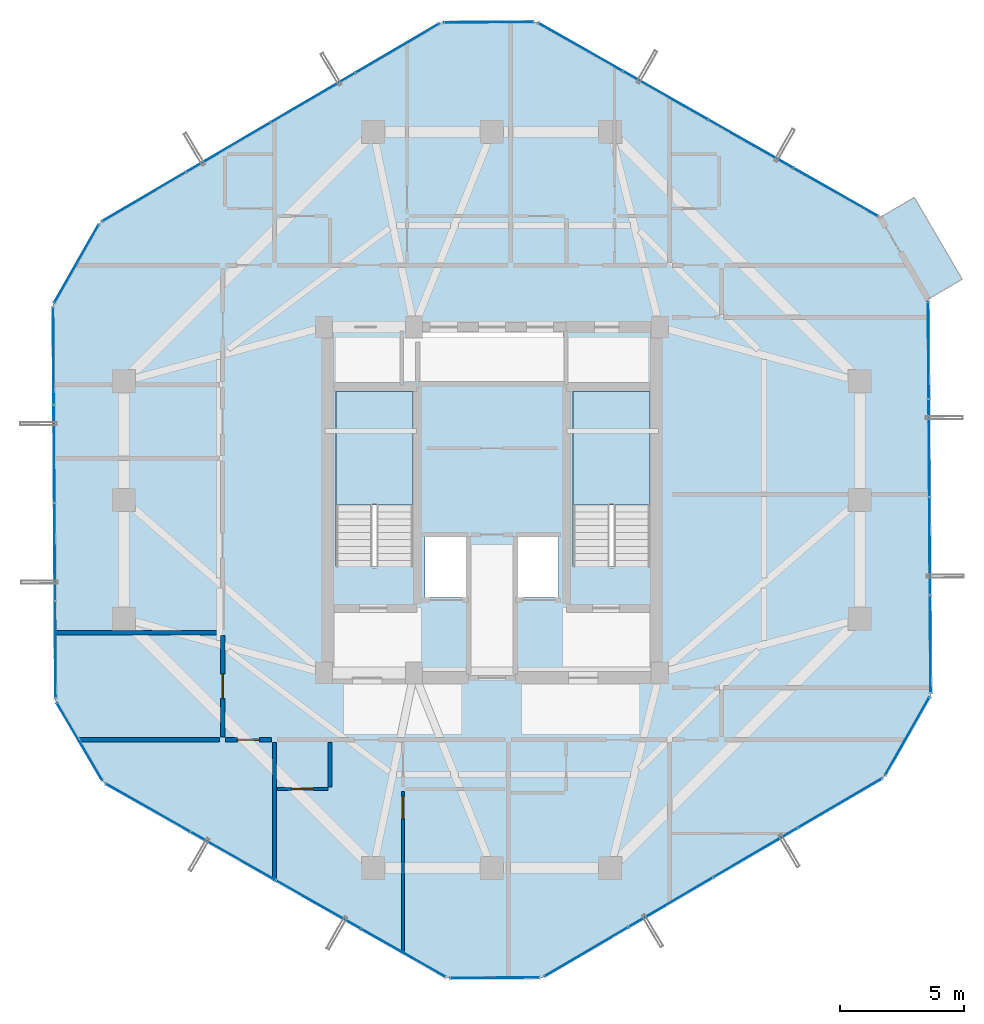
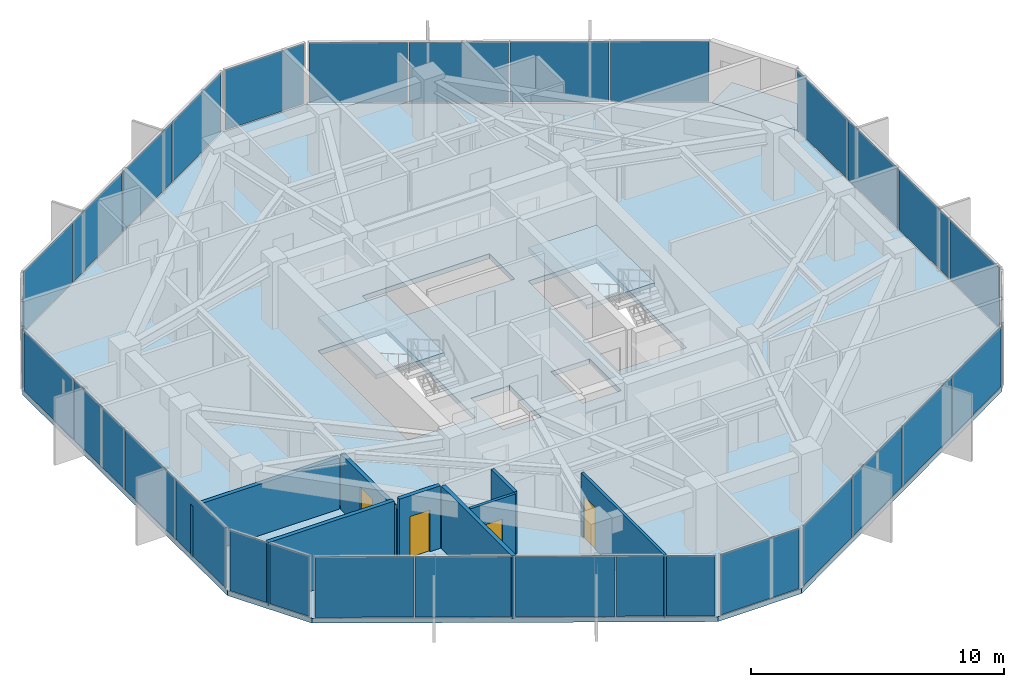
# One storey, part 26 of 31: 29 plates, 8 walls, 4 doors, 4 slabs, 4 openings, 13 elements without a shape of their own.
"""IFC4 building model written with IfcOpenShell, lengths in metres."""

from ifc_helpers import new_model, si_unit, direction, frame, frame_2d, origin, origin_2d, place, context, subcontext, project, spatial, polyline, rectangle, outline, extrude, source, transform, mapped, material, layer, layer_set, type_object, element, fill, aggregate, save


model = new_model("IFC4")

# Units and contexts
model_context = context("Model", 3, precision=1e-05, world=origin(), true_north=direction((0.0, 1.0)))
body_context = subcontext(model_context, "Body", "Model", "MODEL_VIEW")
ifc_project = project(units=[si_unit("LENGTHUNIT", "METRE"), si_unit("AREAUNIT", "SQUARE_METRE"), si_unit("VOLUMEUNIT", "CUBIC_METRE"), si_unit("PLANEANGLEUNIT", "RADIAN"), si_unit("MASSUNIT", "GRAM", prefix="KILO")], contexts=[model_context])

# Site, building, storey
site_placement = place(None, origin())
site = spatial("IfcSite", under=ifc_project, at=site_placement, CompositionType="ELEMENT")
building_placement = place(site_placement, origin())
building = spatial("IfcBuilding", under=site, at=building_placement, Name="Veraguas Prism Commons", CompositionType="ELEMENT")
storey_placement = place(building_placement, frame((0.0, 0.0, 204.85009765625)))
storey = spatial("IfcBuildingStorey", under=building, at=storey_placement, Name="L58", CompositionType="ELEMENT", Elevation=204.85009765625)

# Stair, slab
ifc_material_1 = material(Name="Precast concrete C45/55", Category="concrete")
stair_type = type_object("IfcStairType", Name="Dogleg Core Stair 1480W 20R 05", PredefinedType="HALF_TURN_STAIR", material=ifc_material_1)
stair_1_placement = place(storey_placement, origin())
stair_1 = element("IfcStair", 1, at=stair_1_placement, inside=storey, type_object=stair_type, Name="Protected Exit Stair ST-01 L58", PredefinedType="HALF_TURN_STAIR")
ifc_layer_1 = layer(ifc_material_1, 0.199951171875, Name="Precast Stair and Ramp Landing Slab 200", Category="concrete")
ifc_layer_set_1 = layer_set([ifc_layer_1], Name="Precast concrete C45/55")
slab_type_1 = type_object("IfcSlabType", Name="Precast Stair and Ramp Landing Slab 200", PredefinedType="LANDING", material=ifc_layer_set_1)
slab_1_placement = place(storey_placement, frame((0.0, 0.0, 1.4248046875)))
slab_1 = element("IfcSlab", 2, at=slab_1_placement, type_object=slab_type_1, Name="ST-05 Landing 1", PredefinedType="LANDING", context=body_context, shape_type="SweptSolid", body=[
    extrude(outline(polyline([(20.800048828125, 23.800048828125), (20.800048828125, 28.39990234375), (17.68994140625, 28.39990234375), (17.68994140625, 23.800048828125), (20.800048828125, 23.800048828125)])), origin(), (0.0, 0.0, 1.0), 0.2001953125),
])
aggregate(stair_1, [slab_1])

stair_2_placement = place(storey_placement, origin())
stair_2 = element("IfcStair", 3, at=stair_2_placement, inside=storey, type_object=stair_type, Name="Protected Exit Stair ST-02 L58", PredefinedType="HALF_TURN_STAIR")
slab_2_placement = place(storey_placement, frame((0.0, 0.0, 1.4248046875)))
slab_2 = element("IfcSlab", 4, at=slab_2_placement, type_object=slab_type_1, Name="ST-05 Landing 1", PredefinedType="LANDING", context=body_context, shape_type="SweptSolid", body=[
    extrude(outline(polyline([(30.39990234375, 23.800048828125), (30.39990234375, 28.39990234375), (27.2900390625, 28.39990234375), (27.2900390625, 23.800048828125), (30.39990234375, 23.800048828125)])), origin(), (0.0, 0.0, 1.0), 0.2001953125),
])
aggregate(stair_2, [slab_2])

# Slabs
ifc_material_2 = material(Name="Concrete C45/55", Category="concrete")
ifc_layer_2 = layer(ifc_material_2, 0.219970703125, Name="Recessed Loggia and Terrace Slab RC 220", Category="concrete")
ifc_layer_set_2 = layer_set([ifc_layer_2], Name="Concrete C45/55")
slab_type_2 = type_object("IfcSlabType", Name="Recessed Loggia and Terrace Slab RC 220", PredefinedType="FLOOR", material=ifc_layer_set_2)
slab_3_placement = place(storey_placement, frame((0.0, 0.0, -0.22021484375)))
element("IfcSlab", 5, at=slab_3_placement, inside=storey, type_object=slab_type_2, Name="Recessed Corner Loggia L58-C1", PredefinedType="FLOOR", context=body_context, shape_type="SweptSolid", body=[
    extrude(outline(polyline([(41.639404296875, 32.118408203125), (43.037109375, 32.937744140625), (41.097900390625, 36.24560546875), (39.7001953125, 35.42626953125), (41.639404296875, 32.118408203125)])), origin(), (0.0, 0.0, 1.0), 0.22021484375),
])
ifc_layer_3 = layer(ifc_material_2, 0.235107421875, Name="Tower Upper Residential Floor Slab RC 235", Category="concrete")
ifc_layer_set_3 = layer_set([ifc_layer_3], Name="Concrete C45/55")
slab_type_3 = type_object("IfcSlabType", Name="Tower Upper Residential Floor Slab RC 235", PredefinedType="FLOOR", material=ifc_layer_set_3)
slab_4_placement = place(storey_placement, frame((0.0, 0.0, -0.235107421875)))
element("IfcSlab", 6, at=slab_4_placement, inside=storey, type_object=slab_type_3, Name="Tower Floor Slab L58", PredefinedType="FLOOR", context=body_context, shape_type="SweptSolid", body=[
    extrude(outline(polyline([(41.65673828125, 32.12841796875), (39.717529296875, 35.436279296875), (25.788818359375, 43.35546875), (21.95458984375, 43.330078125), (8.132080078125, 35.226806640625), (6.237060546875, 31.8935546875), (6.34326171875, 15.87158203125), (8.282470703125, 12.563720703125), (22.211181640625, 4.64453125), (26.04541015625, 4.669921875), (39.867919921875, 12.773193359375), (41.762939453125, 16.1064453125), (41.65673828125, 32.12841796875)]), holes=[polyline([(20.800048828125, 21.31005859375), (20.800048828125, 28.39990234375), (17.68994140625, 28.39990234375), (17.68994140625, 21.31005859375), (20.800048828125, 21.31005859375)]), polyline([(30.39990234375, 21.31005859375), (30.39990234375, 28.39990234375), (27.2900390625, 28.39990234375), (27.2900390625, 21.31005859375), (30.39990234375, 21.31005859375)]), polyline([(21.10009765625, 28.800048828125), (26.89990234375, 28.800048828125), (26.89990234375, 30.800048828125), (21.10009765625, 30.800048828125), (21.10009765625, 28.800048828125)]), polyline([(21.300048828125, 20.050048828125), (23.050048828125, 20.050048828125), (23.050048828125, 22.550048828125), (21.300048828125, 22.550048828125), (21.300048828125, 20.050048828125)]), polyline([(24.949951171875, 20.050048828125), (26.699951171875, 20.050048828125), (26.699951171875, 22.550048828125), (24.949951171875, 22.550048828125), (24.949951171875, 20.050048828125)])]), origin(), (0.0, 0.0, 1.0), 0.235107421875),
])

# Curtain wall, plates
ifc_material_3 = material(Name="Anodised aluminium EN AW-6063 T6", Category="aluminium")
ifc_layer_4 = layer(ifc_material_3, 0.14990234375, Name="Unitised Flush Curtain Wall Zone 3", Category="aluminium")
ifc_layer_set_4 = layer_set([ifc_layer_4], Name="Anodised aluminium EN AW-6063 T6")
curtain_wall_type = type_object("IfcCurtainWallType", Name="Unitised Flush Curtain Wall Zone 3", PredefinedType="NOTDEFINED", material=ifc_layer_set_4)
curtain_wall_1_placement = place(storey_placement, origin())
curtain_wall_1 = element("IfcCurtainWall", 7, at=curtain_wall_1_placement, inside=storey, type_object=curtain_wall_type, Name="Tower Facade Curtain Wall L58-F1", PredefinedType="NOTDEFINED")
ifc_material_4 = material(Name="Laminated low-e glass", Category="glass")
ifc_layer_5 = layer(ifc_material_4, 0.028076171875, Name="Unitised Double Low-E Glazed Panel 28", Category="glass")
ifc_layer_set_5 = layer_set([ifc_layer_5], Name="Laminated low-e glass")
plate_type = type_object("IfcPlateType", Name="Unitised Double Low-E Glazed Panel 28", PredefinedType="CURTAIN_PANEL", material=ifc_layer_set_5)
shared_shape_1 = source(origin(), body_context, "Body", "SweptSolid", [
    extrude(rectangle(XDim=3.885498046875, YDim=0.028076171875, at=origin_2d()), origin(), (0.0, 0.0, 1.0), 2.905029296875),
])
plate_1_placement = place(storey_placement, frame((37.92431640625, 36.4560546875, 0.0546875), z_axis=(0.0, 0.0, 1.0), x_axis=(-0.869323320918, 0.494243830218, 0.0)))
plate_1 = element("IfcPlate", 8, at=plate_1_placement, type_object=plate_type, Name="CW-Z3 Panel 1.1", PredefinedType="CURTAIN_PANEL", context=body_context, shape_type="MappedRepresentation", body=[
    mapped(shared_shape_1, transform((0.0, 0.0, 0.0), scale=1.0)),
])
plate_2_placement = place(storey_placement, frame((27.582275390625, 42.3359375, 0.0546875), z_axis=(0.0, 0.0, 1.0), x_axis=(-0.869323320918, 0.494243830218, 0.0)))
plate_2 = element("IfcPlate", 9, at=plate_2_placement, type_object=plate_type, Name="CW-Z3 Panel 4.1", PredefinedType="CURTAIN_PANEL", context=body_context, shape_type="MappedRepresentation", body=[
    mapped(shared_shape_1, transform((0.0, 0.0, 0.0), scale=1.0)),
])

curtain_wall_2_placement = place(storey_placement, origin())
curtain_wall_2 = element("IfcCurtainWall", 10, at=curtain_wall_2_placement, inside=storey, type_object=curtain_wall_type, Name="Tower Facade Curtain Wall L58-F2", PredefinedType="NOTDEFINED")
plate_3_placement = place(storey_placement, frame((20.175048828125, 42.286865234375, 0.0546875), z_axis=(0.0, 0.0, 1.0), x_axis=(-0.86268584238, -0.505740187604, 0.0)))
plate_3 = element("IfcPlate", 11, at=plate_3_placement, type_object=plate_type, Name="CW-Z3 Panel 1.1", PredefinedType="CURTAIN_PANEL", context=body_context, shape_type="MappedRepresentation", body=[
    mapped(shared_shape_1, transform((0.0, 0.0, 0.0), scale=1.0)),
])
plate_4_placement = place(storey_placement, frame((9.911865234375, 36.27001953125, 0.0546875), z_axis=(0.0, 0.0, 1.0), x_axis=(-0.86268584238, -0.505740187604, 0.0)))
plate_4 = element("IfcPlate", 12, at=plate_4_placement, type_object=plate_type, Name="CW-Z3 Panel 4.1", PredefinedType="CURTAIN_PANEL", context=body_context, shape_type="MappedRepresentation", body=[
    mapped(shared_shape_1, transform((0.0, 0.0, 0.0), scale=1.0)),
])

curtain_wall_3_placement = place(storey_placement, origin())
curtain_wall_3 = element("IfcCurtainWall", 13, at=curtain_wall_3_placement, inside=storey, type_object=curtain_wall_type, Name="Tower Facade Curtain Wall L58-F3", PredefinedType="NOTDEFINED")
plate_5_placement = place(storey_placement, frame((6.250732421875, 29.830810546875, 0.0546875), z_axis=(0.0, 0.0, 1.0), x_axis=(0.006633947827, -0.999977995126, 0.0)))
plate_5 = element("IfcPlate", 14, at=plate_5_placement, type_object=plate_type, Name="CW-Z3 Panel 1.1", PredefinedType="CURTAIN_PANEL", context=body_context, shape_type="MappedRepresentation", body=[
    mapped(shared_shape_1, transform((0.0, 0.0, 0.0), scale=1.0)),
])
plate_6_placement = place(storey_placement, frame((6.32958984375, 17.934326171875, 0.0546875), z_axis=(0.0, 0.0, 1.0), x_axis=(0.006633947827, -0.999977995126, 0.0)))
plate_6 = element("IfcPlate", 15, at=plate_6_placement, type_object=plate_type, Name="CW-Z3 Panel 4.1", PredefinedType="CURTAIN_PANEL", context=body_context, shape_type="MappedRepresentation", body=[
    mapped(shared_shape_1, transform((0.0, 0.0, 0.0), scale=1.0)),
])

curtain_wall_4_placement = place(storey_placement, origin())
curtain_wall_4 = element("IfcCurtainWall", 16, at=curtain_wall_4_placement, inside=storey, type_object=curtain_wall_type, Name="Tower Facade Curtain Wall L58-F4", PredefinedType="NOTDEFINED")
plate_7_placement = place(storey_placement, frame((10.07568359375, 11.5439453125, 0.0546875), z_axis=(0.0, 0.0, 1.0), x_axis=(0.869323320918, -0.494243830218, 0.0)))
plate_7 = element("IfcPlate", 17, at=plate_7_placement, type_object=plate_type, Name="CW-Z3 Panel 1.1", PredefinedType="CURTAIN_PANEL", context=body_context, shape_type="MappedRepresentation", body=[
    mapped(shared_shape_1, transform((0.0, 0.0, 0.0), scale=1.0)),
])
plate_8_placement = place(storey_placement, frame((20.417724609375, 5.6640625, 0.0546875), z_axis=(0.0, 0.0, 1.0), x_axis=(0.869323320918, -0.494243830218, 0.0)))
plate_8 = element("IfcPlate", 18, at=plate_8_placement, type_object=plate_type, Name="CW-Z3 Panel 4.1", PredefinedType="CURTAIN_PANEL", context=body_context, shape_type="MappedRepresentation", body=[
    mapped(shared_shape_1, transform((0.0, 0.0, 0.0), scale=1.0)),
])

curtain_wall_5_placement = place(storey_placement, origin())
curtain_wall_5 = element("IfcCurtainWall", 19, at=curtain_wall_5_placement, inside=storey, type_object=curtain_wall_type, Name="Tower Facade Curtain Wall L58-F5", PredefinedType="NOTDEFINED")
plate_9_placement = place(storey_placement, frame((27.824951171875, 5.713134765625, 0.0546875), z_axis=(0.0, 0.0, 1.0), x_axis=(0.86268584238, 0.505740187604, 0.0)))
plate_9 = element("IfcPlate", 20, at=plate_9_placement, type_object=plate_type, Name="CW-Z3 Panel 1.1", PredefinedType="CURTAIN_PANEL", context=body_context, shape_type="MappedRepresentation", body=[
    mapped(shared_shape_1, transform((0.0, 0.0, 0.0), scale=1.0)),
])
plate_10_placement = place(storey_placement, frame((38.088134765625, 11.72998046875, 0.0546875), z_axis=(0.0, 0.0, 1.0), x_axis=(0.86268584238, 0.505740187604, 0.0)))
plate_10 = element("IfcPlate", 21, at=plate_10_placement, type_object=plate_type, Name="CW-Z3 Panel 4.1", PredefinedType="CURTAIN_PANEL", context=body_context, shape_type="MappedRepresentation", body=[
    mapped(shared_shape_1, transform((0.0, 0.0, 0.0), scale=1.0)),
])

curtain_wall_6_placement = place(storey_placement, origin())
curtain_wall_6 = element("IfcCurtainWall", 22, at=curtain_wall_6_placement, inside=storey, type_object=curtain_wall_type, Name="Tower Facade Curtain Wall L58-F6", PredefinedType="NOTDEFINED")
plate_11_placement = place(storey_placement, frame((41.749267578125, 18.169189453125, 0.0546875), z_axis=(0.0, 0.0, 1.0), x_axis=(-0.006633947827, 0.999977995126, 0.0)))
plate_11 = element("IfcPlate", 23, at=plate_11_placement, type_object=plate_type, Name="CW-Z3 Panel 1.1", PredefinedType="CURTAIN_PANEL", context=body_context, shape_type="MappedRepresentation", body=[
    mapped(shared_shape_1, transform((0.0, 0.0, 0.0), scale=1.0)),
])
plate_12_placement = place(storey_placement, frame((41.67041015625, 30.065673828125, 0.0546875), z_axis=(0.0, 0.0, 1.0), x_axis=(-0.006633947827, 0.999977995126, 0.0)))
plate_12 = element("IfcPlate", 24, at=plate_12_placement, type_object=plate_type, Name="CW-Z3 Panel 4.1", PredefinedType="CURTAIN_PANEL", context=body_context, shape_type="MappedRepresentation", body=[
    mapped(shared_shape_1, transform((0.0, 0.0, 0.0), scale=1.0)),
])

# Plate
shared_shape_2 = source(origin(), body_context, "Body", "SweptSolid", [
    extrude(rectangle(XDim=3.91552734375, YDim=0.028076171875, at=origin_2d()), origin(), (0.0, 0.0, 1.0), 2.905029296875),
])
plate_13_placement = place(storey_placement, frame((34.481201171875, 38.413330078125, 0.0546875), z_axis=(0.0, 0.0, 1.0), x_axis=(-0.869323320918, 0.494243830218, 0.0)))
plate_13 = element("IfcPlate", 25, at=plate_13_placement, type_object=plate_type, Name="CW-Z3 Panel 2.1", PredefinedType="CURTAIN_PANEL", context=body_context, shape_type="MappedRepresentation", body=[
    mapped(shared_shape_2, transform((0.0, 0.0, 0.0), scale=1.0)),
])

plate_14_placement = place(storey_placement, frame((31.025146484375, 40.37841796875, 0.0546875), z_axis=(0.0, 0.0, 1.0), x_axis=(-0.869323320918, 0.494243830218, 0.0)))
plate_14 = element("IfcPlate", 26, at=plate_14_placement, type_object=plate_type, Name="CW-Z3 Panel 3.1", PredefinedType="CURTAIN_PANEL", context=body_context, shape_type="MappedRepresentation", body=[
    mapped(shared_shape_2, transform((0.0, 0.0, 0.0), scale=1.0)),
])

aggregate(curtain_wall_1, [plate_1, plate_13, plate_14, plate_2])

plate_15_placement = place(storey_placement, frame((16.75830078125, 40.28369140625, 0.0546875), z_axis=(0.0, 0.0, 1.0), x_axis=(-0.86268584238, -0.505740187604, 0.0)))
plate_15 = element("IfcPlate", 27, at=plate_15_placement, type_object=plate_type, Name="CW-Z3 Panel 2.1", PredefinedType="CURTAIN_PANEL", context=body_context, shape_type="MappedRepresentation", body=[
    mapped(shared_shape_2, transform((0.0, 0.0, 0.0), scale=1.0)),
])

plate_16_placement = place(storey_placement, frame((13.32861328125, 38.273193359375, 0.0546875), z_axis=(0.0, 0.0, 1.0), x_axis=(-0.86268584238, -0.505740187604, 0.0)))
plate_16 = element("IfcPlate", 28, at=plate_16_placement, type_object=plate_type, Name="CW-Z3 Panel 3.1", PredefinedType="CURTAIN_PANEL", context=body_context, shape_type="MappedRepresentation", body=[
    mapped(shared_shape_2, transform((0.0, 0.0, 0.0), scale=1.0)),
])

aggregate(curtain_wall_2, [plate_3, plate_15, plate_16, plate_4])

plate_17_placement = place(storey_placement, frame((6.27685546875, 25.870361328125, 0.0546875), z_axis=(0.0, 0.0, 1.0), x_axis=(0.006633947827, -0.999977995126, 0.0)))
plate_17 = element("IfcPlate", 29, at=plate_17_placement, type_object=plate_type, Name="CW-Z3 Panel 2.1", PredefinedType="CURTAIN_PANEL", context=body_context, shape_type="MappedRepresentation", body=[
    mapped(shared_shape_2, transform((0.0, 0.0, 0.0), scale=1.0)),
])

plate_18_placement = place(storey_placement, frame((6.30322265625, 21.894775390625, 0.0546875), z_axis=(0.0, 0.0, 1.0), x_axis=(0.006633947827, -0.999977995126, 0.0)))
plate_18 = element("IfcPlate", 30, at=plate_18_placement, type_object=plate_type, Name="CW-Z3 Panel 3.1", PredefinedType="CURTAIN_PANEL", context=body_context, shape_type="MappedRepresentation", body=[
    mapped(shared_shape_2, transform((0.0, 0.0, 0.0), scale=1.0)),
])

aggregate(curtain_wall_3, [plate_5, plate_17, plate_18, plate_6])

plate_19_placement = place(storey_placement, frame((13.518798828125, 9.586669921875, 0.0546875), z_axis=(0.0, 0.0, 1.0), x_axis=(0.869323320918, -0.494243830218, 0.0)))
plate_19 = element("IfcPlate", 31, at=plate_19_placement, type_object=plate_type, Name="CW-Z3 Panel 2.1", PredefinedType="CURTAIN_PANEL", context=body_context, shape_type="MappedRepresentation", body=[
    mapped(shared_shape_2, transform((0.0, 0.0, 0.0), scale=1.0)),
])

plate_20_placement = place(storey_placement, frame((16.974853515625, 7.62158203125, 0.0546875), z_axis=(0.0, 0.0, 1.0), x_axis=(0.869323320918, -0.494243830218, 0.0)))
plate_20 = element("IfcPlate", 32, at=plate_20_placement, type_object=plate_type, Name="CW-Z3 Panel 3.1", PredefinedType="CURTAIN_PANEL", context=body_context, shape_type="MappedRepresentation", body=[
    mapped(shared_shape_2, transform((0.0, 0.0, 0.0), scale=1.0)),
])

aggregate(curtain_wall_4, [plate_7, plate_19, plate_20, plate_8])

plate_21_placement = place(storey_placement, frame((31.24169921875, 7.71630859375, 0.0546875), z_axis=(0.0, 0.0, 1.0), x_axis=(0.86268584238, 0.505740187604, 0.0)))
plate_21 = element("IfcPlate", 33, at=plate_21_placement, type_object=plate_type, Name="CW-Z3 Panel 2.1", PredefinedType="CURTAIN_PANEL", context=body_context, shape_type="MappedRepresentation", body=[
    mapped(shared_shape_2, transform((0.0, 0.0, 0.0), scale=1.0)),
])

plate_22_placement = place(storey_placement, frame((34.67138671875, 9.726806640625, 0.0546875), z_axis=(0.0, 0.0, 1.0), x_axis=(0.86268584238, 0.505740187604, 0.0)))
plate_22 = element("IfcPlate", 34, at=plate_22_placement, type_object=plate_type, Name="CW-Z3 Panel 3.1", PredefinedType="CURTAIN_PANEL", context=body_context, shape_type="MappedRepresentation", body=[
    mapped(shared_shape_2, transform((0.0, 0.0, 0.0), scale=1.0)),
])

aggregate(curtain_wall_5, [plate_9, plate_21, plate_22, plate_10])

plate_23_placement = place(storey_placement, frame((41.72314453125, 22.129638671875, 0.0546875), z_axis=(0.0, 0.0, 1.0), x_axis=(-0.006633947827, 0.999977995126, 0.0)))
plate_23 = element("IfcPlate", 35, at=plate_23_placement, type_object=plate_type, Name="CW-Z3 Panel 2.1", PredefinedType="CURTAIN_PANEL", context=body_context, shape_type="MappedRepresentation", body=[
    mapped(shared_shape_2, transform((0.0, 0.0, 0.0), scale=1.0)),
])

plate_24_placement = place(storey_placement, frame((41.69677734375, 26.105224609375, 0.0546875), z_axis=(0.0, 0.0, 1.0), x_axis=(-0.006633947827, 0.999977995126, 0.0)))
plate_24 = element("IfcPlate", 36, at=plate_24_placement, type_object=plate_type, Name="CW-Z3 Panel 3.1", PredefinedType="CURTAIN_PANEL", context=body_context, shape_type="MappedRepresentation", body=[
    mapped(shared_shape_2, transform((0.0, 0.0, 0.0), scale=1.0)),
])

aggregate(curtain_wall_6, [plate_11, plate_23, plate_24, plate_12])

# Curtain wall, plate
curtain_wall_7_placement = place(storey_placement, origin())
curtain_wall_7 = element("IfcCurtainWall", 37, at=curtain_wall_7_placement, inside=storey, type_object=curtain_wall_type, Name="Chamfer Curtain Wall L58-C3", PredefinedType="NOTDEFINED")
shared_shape_3 = source(origin(), body_context, "Body", "SweptSolid", [
    extrude(rectangle(XDim=3.59423828125, YDim=0.028076171875, at=origin_2d()), origin(), (0.0, 0.0, 1.0), 2.905029296875),
])
plate_25_placement = place(storey_placement, frame((7.1845703125, 33.560302734375, 0.0546875), z_axis=(0.0, 0.0, 1.0), x_axis=(-0.494252933723, -0.869318145161, 0.0)))
plate_25 = element("IfcPlate", 38, at=plate_25_placement, type_object=plate_type, Name="CW-Z3 Panel 1.1", PredefinedType="CURTAIN_PANEL", context=body_context, shape_type="MappedRepresentation", body=[
    mapped(shared_shape_3, transform((0.0, 0.0, 0.0), scale=1.0)),
])
aggregate(curtain_wall_7, [plate_25])

curtain_wall_8_placement = place(storey_placement, origin())
curtain_wall_8 = element("IfcCurtainWall", 39, at=curtain_wall_8_placement, inside=storey, type_object=curtain_wall_type, Name="Chamfer Curtain Wall L58-C6", PredefinedType="NOTDEFINED")
plate_26_placement = place(storey_placement, frame((40.8154296875, 14.439697265625, 0.0546875), z_axis=(0.0, 0.0, 1.0), x_axis=(0.494252933723, 0.869318145161, 0.0)))
plate_26 = element("IfcPlate", 40, at=plate_26_placement, type_object=plate_type, Name="CW-Z3 Panel 1.1", PredefinedType="CURTAIN_PANEL", context=body_context, shape_type="MappedRepresentation", body=[
    mapped(shared_shape_3, transform((0.0, 0.0, 0.0), scale=1.0)),
])
aggregate(curtain_wall_8, [plate_26])

curtain_wall_9_placement = place(storey_placement, origin())
curtain_wall_9 = element("IfcCurtainWall", 41, at=curtain_wall_9_placement, inside=storey, type_object=curtain_wall_type, Name="Chamfer Curtain Wall L58-C2", PredefinedType="NOTDEFINED")
shared_shape_4 = source(origin(), body_context, "Body", "SweptSolid", [
    extrude(rectangle(XDim=3.594482421875, YDim=0.028076171875, at=origin_2d()), origin(), (0.0, 0.0, 1.0), 2.905029296875),
])
plate_27_placement = place(storey_placement, frame((23.871826171875, 43.3427734375, 0.0546875), z_axis=(0.0, 0.0, 1.0), x_axis=(-0.999978064542, -0.006623476081, 0.0)))
plate_27 = element("IfcPlate", 42, at=plate_27_placement, type_object=plate_type, Name="CW-Z3 Panel 1.1", PredefinedType="CURTAIN_PANEL", context=body_context, shape_type="MappedRepresentation", body=[
    mapped(shared_shape_4, transform((0.0, 0.0, 0.0), scale=1.0)),
])
aggregate(curtain_wall_9, [plate_27])

curtain_wall_10_placement = place(storey_placement, origin())
curtain_wall_10 = element("IfcCurtainWall", 43, at=curtain_wall_10_placement, inside=storey, type_object=curtain_wall_type, Name="Chamfer Curtain Wall L58-C4", PredefinedType="NOTDEFINED")
plate_28_placement = place(storey_placement, frame((7.31298828125, 14.217529296875, 0.0546875), z_axis=(0.0, 0.0, 1.0), x_axis=(0.505762772493, -0.862672601837, 0.0)))
plate_28 = element("IfcPlate", 44, at=plate_28_placement, type_object=plate_type, Name="CW-Z3 Panel 1.1", PredefinedType="CURTAIN_PANEL", context=body_context, shape_type="MappedRepresentation", body=[
    mapped(shared_shape_4, transform((0.0, 0.0, 0.0), scale=1.0)),
])
aggregate(curtain_wall_10, [plate_28])

curtain_wall_11_placement = place(storey_placement, origin())
curtain_wall_11 = element("IfcCurtainWall", 45, at=curtain_wall_11_placement, inside=storey, type_object=curtain_wall_type, Name="Chamfer Curtain Wall L58-C5", PredefinedType="NOTDEFINED")
plate_29_placement = place(storey_placement, frame((24.128173828125, 4.6572265625, 0.0546875), z_axis=(0.0, 0.0, 1.0), x_axis=(0.999978064542, 0.006623476081, 0.0)))
plate_29 = element("IfcPlate", 46, at=plate_29_placement, type_object=plate_type, Name="CW-Z3 Panel 1.1", PredefinedType="CURTAIN_PANEL", context=body_context, shape_type="MappedRepresentation", body=[
    mapped(shared_shape_4, transform((0.0, 0.0, 0.0), scale=1.0)),
])
aggregate(curtain_wall_11, [plate_29])

# Walls
ifc_material_5 = material(Name="Autoclaved aerated masonry block 10 MPa", Category="masonry")
ifc_layer_6 = layer(ifc_material_5, 0.179931640625, Name="Corridor and Inter-Tenancy Partition 180", Category="masonry")
ifc_layer_set_6 = layer_set([ifc_layer_6], Name="Autoclaved aerated masonry block 10 MPa")
wall_type_1 = type_object("IfcWallType", Name="Corridor and Inter-Tenancy Partition 180", PredefinedType="PARTITIONING", material=ifc_layer_set_6)
wall_1_placement = place(storey_placement, frame((15.199951171875, 14.179931640625, 0.0), z_axis=(0.0, 0.0, 1.0), x_axis=(0.0, -1.0, 0.0)))
element("IfcWall", 47, at=wall_1_placement, inside=storey, type_object=wall_type_1, Name="WL-L58-PT001", PredefinedType="PARTITIONING", context=body_context, shape_type="SweptSolid", body=[
    extrude(rectangle(XDim=5.583740234375, YDim=0.179931640625, at=frame_2d((2.7919921875, 0.0))), origin(), (0.0, 0.0, 1.0), 3.014892578125),
])
wall_2_placement = place(storey_placement, frame((12.97998046875, 14.300048828125, 0.0), z_axis=(0.0, 0.0, 1.0), x_axis=(-1.0, 0.0, 0.0)))
element("IfcWall", 48, at=wall_2_placement, inside=storey, type_object=wall_type_1, Name="WL-L58-PT028", PredefinedType="PARTITIONING", context=body_context, shape_type="SweptSolid", body=[
    extrude(rectangle(XDim=5.750244140625, YDim=0.179931640625, at=frame_2d((2.875, 0.0))), origin(), (0.0, 0.0, 1.0), 3.014892578125),
])

# Wall, opening, door
wall_3_placement = place(storey_placement, frame((13.10009765625, 14.409912109375, 0.0), z_axis=(0.0, 0.0, 1.0), x_axis=(0.0, 1.0, 0.0)))
wall_3 = element("IfcWall", 49, at=wall_3_placement, inside=storey, type_object=wall_type_1, Name="WL-L58-PT030", PredefinedType="PARTITIONING", context=body_context, shape_type="SweptSolid", body=[
    extrude(rectangle(XDim=4.110107421875, YDim=0.179931640625, at=frame_2d((2.05517578125, 0.0))), origin(), (0.0, 0.0, 1.0), 2.661865234375),
])
opening_1_placement = place(wall_3_placement, frame((1.554931640625, 0.0, 0.0)))
opening_1 = element("IfcOpeningElement", 50, at=opening_1_placement, cuts=wall_3, Name="Opening DR-13", PredefinedType="OPENING", context=body_context, shape_type="SweptSolid", body=[
    extrude(rectangle(XDim=1.0, YDim=2.010009765625, at=frame_2d((0.5, 1.0048828125))), frame((0.0, 0.099853515625, 0.0), z_axis=(0.0, -1.0, 0.0), x_axis=(1.0, 0.0, 0.0)), (0.0, 0.0, 1.0), 0.199951171875),
])
ifc_material_6 = material(Name="Steel fire-rated door assembly", Category="steel")
door_type_1 = type_object("IfcDoorType", Name="Core Accessible WC and Clinic Fire Door 1000x2010", OperationType="NOTDEFINED", PredefinedType="DOOR", material=ifc_material_6)
shared_shape_5 = source(origin(), body_context, "Body", "SweptSolid", [
    extrude(rectangle(XDim=1.0, YDim=2.010009765625, at=frame_2d((0.5, 1.0048828125))), frame((0.0, 0.02490234375, 0.0), z_axis=(0.0, -1.0, 0.0), x_axis=(1.0, 0.0, 0.0)), (0.0, 0.0, 1.0), 0.050048828125),
])
door_1_placement = place(opening_1_placement, origin())
door_1 = element("IfcDoor", 51, at=door_1_placement, inside=storey, type_object=door_type_1, Name="Residents Study Room Door", OperationType="SINGLE_SWING_RIGHT", OverallHeight=2.010009765625, OverallWidth=1.0, PredefinedType="DOOR", context=body_context, shape_type="MappedRepresentation", body=[
    mapped(shared_shape_5, transform((0.0, 0.0, 0.0), scale=1.0)),
])
fill(opening_1, door_1)

# Wall
wall_4_placement = place(storey_placement, frame((12.97998046875, 18.6298828125, 0.0), z_axis=(0.0, 0.0, 1.0), x_axis=(-1.0, 0.0, 0.0)))
element("IfcWall", 52, at=wall_4_placement, inside=storey, type_object=wall_type_1, Name="WL-L58-PT032", PredefinedType="PARTITIONING", context=body_context, shape_type="SweptSolid", body=[
    extrude(rectangle(XDim=6.68505859375, YDim=0.179931640625, at=frame_2d((3.342529296875, 0.0))), origin(), (0.0, 0.0, 1.0), 2.468994140625),
])

# Wall, opening, door
wall_5_placement = place(storey_placement, frame((13.219970703125, 14.300048828125, 0.0), z_axis=(0.0, 0.0, 1.0), x_axis=(1.0, 0.0, 0.0)))
wall_5 = element("IfcWall", 53, at=wall_5_placement, inside=storey, type_object=wall_type_1, Name="WL-L58-PT044", PredefinedType="PARTITIONING", context=body_context, shape_type="SweptSolid", body=[
    extrude(rectangle(XDim=1.860107421875, YDim=0.179931640625, at=frame_2d((0.93017578125, 0.0))), origin(), (0.0, 0.0, 1.0), 3.014892578125),
])
opening_2_placement = place(wall_5_placement, frame((0.47998046875, 0.0, 0.0)))
opening_2 = element("IfcOpeningElement", 54, at=opening_2_placement, cuts=wall_5, Name="Opening DR-14", PredefinedType="OPENING", context=body_context, shape_type="SweptSolid", body=[
    extrude(rectangle(XDim=0.89990234375, YDim=2.010009765625, at=frame_2d((0.449951171875, 1.0048828125))), frame((0.0, 0.099853515625, 0.0), z_axis=(0.0, -1.0, 0.0), x_axis=(1.0, 0.0, 0.0)), (0.0, 0.0, 1.0), 0.199951171875),
])
door_type_2 = type_object("IfcDoorType", Name="Core Service Room Fire Door 900x2010", OperationType="NOTDEFINED", PredefinedType="DOOR", material=ifc_material_6)
shared_shape_6 = source(origin(), body_context, "Body", "SweptSolid", [
    extrude(rectangle(XDim=0.89990234375, YDim=2.010009765625, at=frame_2d((0.449951171875, 1.0048828125))), frame((0.0, 0.02490234375, 0.0), z_axis=(0.0, -1.0, 0.0), x_axis=(1.0, 0.0, 0.0)), (0.0, 0.0, 1.0), 0.050048828125),
])
door_2_placement = place(opening_2_placement, origin())
door_2 = element("IfcDoor", 55, at=door_2_placement, inside=storey, type_object=door_type_2, Name="Residents Cycle and Pram Store SW Door", OperationType="SINGLE_SWING_RIGHT", OverallHeight=2.010009765625, OverallWidth=0.89990234375, PredefinedType="DOOR", context=body_context, shape_type="MappedRepresentation", body=[
    mapped(shared_shape_6, transform((0.0, 0.0, 0.0), scale=1.0)),
])
fill(opening_2, door_2)

ifc_material_7 = material(Name="Lightweight acoustic gypsum board")
ifc_layer_7 = layer(ifc_material_7, 0.125, Name="Internal Apartment Room Partition 125")
ifc_layer_set_7 = layer_set([ifc_layer_7], Name="Lightweight acoustic gypsum board")
wall_type_2 = type_object("IfcWallType", Name="Internal Apartment Room Partition 125", PredefinedType="PARTITIONING", material=ifc_layer_set_7)
wall_6_placement = place(storey_placement, frame((15.320068359375, 12.300048828125, 0.0), z_axis=(0.0, 0.0, 1.0), x_axis=(1.0, 0.0, 0.0)))
wall_6 = element("IfcWall", 56, at=wall_6_placement, inside=storey, type_object=wall_type_2, Name="WL-L58-PT005", PredefinedType="PARTITIONING", context=body_context, shape_type="SweptSolid", body=[
    extrude(rectangle(XDim=2.050048828125, YDim=0.125, at=frame_2d((1.02490234375, 0.0))), origin(), (0.0, 0.0, 1.0), 3.014892578125),
])
opening_3_placement = place(wall_6_placement, frame((0.594970703125, 0.0, 0.0)))
opening_3 = element("IfcOpeningElement", 57, at=opening_3_placement, cuts=wall_6, Name="Opening DR-03", PredefinedType="OPENING", context=body_context, shape_type="SweptSolid", body=[
    extrude(rectangle(XDim=0.860107421875, YDim=2.010009765625, at=frame_2d((0.43017578125, 1.0048828125))), frame((0.0, 0.072509765625, 0.0), z_axis=(0.0, -1.0, 0.0), x_axis=(1.0, 0.0, 0.0)), (0.0, 0.0, 1.0), 0.14501953125),
])
ifc_material_8 = material(Name="Timber moisture-resistant leaf", Category="wood")
door_type_3 = type_object("IfcDoorType", Name="Internal Bathroom Door 860x2010", OperationType="NOTDEFINED", PredefinedType="DOOR", material=ifc_material_8)
shared_shape_7 = source(origin(), body_context, "Body", "SweptSolid", [
    extrude(rectangle(XDim=0.860107421875, YDim=2.010009765625, at=frame_2d((0.43017578125, 1.0048828125))), frame((0.0, 0.02490234375, 0.0), z_axis=(0.0, -1.0, 0.0), x_axis=(1.0, 0.0, 0.0)), (0.0, 0.0, 1.0), 0.050048828125),
])
door_3_placement = place(opening_3_placement, origin())
door_3 = element("IfcDoor", 58, at=door_3_placement, inside=storey, type_object=door_type_3, Name="Flat 58A Bathroom Door", OperationType="SINGLE_SWING_LEFT", OverallHeight=2.010009765625, OverallWidth=0.860107421875, PredefinedType="DOOR", context=body_context, shape_type="MappedRepresentation", body=[
    mapped(shared_shape_7, transform((0.0, 0.0, 0.0), scale=1.0)),
])
fill(opening_3, door_3)

wall_7_placement = place(storey_placement, frame((20.403076171875, 12.199951171875, 0.0), z_axis=(0.0, 0.0, 1.0), x_axis=(0.0, -1.0, 0.0)))
wall_7 = element("IfcWall", 59, at=wall_7_placement, inside=storey, type_object=wall_type_2, Name="WL-L58-PT008", PredefinedType="PARTITIONING", context=body_context, shape_type="SweptSolid", body=[
    extrude(rectangle(XDim=6.561767578125, YDim=0.125, at=frame_2d((3.28076171875, 0.0))), origin(), (0.0, 0.0, 1.0), 3.014892578125),
])
opening_4_placement = place(wall_7_placement, frame((0.199951171875, 0.0, 0.0)))
opening_4 = element("IfcOpeningElement", 60, at=opening_4_placement, cuts=wall_7, Name="Opening DR-02", PredefinedType="OPENING", context=body_context, shape_type="SweptSolid", body=[
    extrude(rectangle(XDim=0.89990234375, YDim=2.010009765625, at=frame_2d((0.449951171875, 1.0048828125))), frame((0.0, 0.072509765625, 0.0), z_axis=(0.0, -1.0, 0.0), x_axis=(1.0, 0.0, 0.0)), (0.0, 0.0, 1.0), 0.14501953125),
])
ifc_material_9 = material(Name="Timber solid core hardwood", Category="wood")
door_type_4 = type_object("IfcDoorType", Name="Internal Habitable Room Door 900x2010", OperationType="NOTDEFINED", PredefinedType="DOOR", material=ifc_material_9)
door_4_placement = place(opening_4_placement, origin())
door_4 = element("IfcDoor", 61, at=door_4_placement, inside=storey, type_object=door_type_4, Name="Flat 58A Bedroom 1 Door", OperationType="SINGLE_SWING_LEFT", OverallHeight=2.010009765625, OverallWidth=0.89990234375, PredefinedType="DOOR", context=body_context, shape_type="MappedRepresentation", body=[
    mapped(shared_shape_6, transform((0.0, 0.0, 0.0), scale=1.0)),
])
fill(opening_4, door_4)

# Wall
ifc_layer_8 = layer(ifc_material_7, 0.14990234375, Name="Wet Room and Clinic Acoustic Partition 150")
ifc_layer_set_8 = layer_set([ifc_layer_8], Name="Lightweight acoustic gypsum board")
wall_type_3 = type_object("IfcWallType", Name="Wet Room and Clinic Acoustic Partition 150", PredefinedType="PARTITIONING", material=ifc_layer_set_8)
wall_8_placement = place(storey_placement, frame((17.449951171875, 14.179931640625, 0.0), z_axis=(0.0, 0.0, 1.0), x_axis=(0.0, -1.0, 0.0)))
element("IfcWall", 62, at=wall_8_placement, inside=storey, type_object=wall_type_3, Name="WL-L58-PT004", PredefinedType="PARTITIONING", context=body_context, shape_type="SweptSolid", body=[
    extrude(rectangle(XDim=1.800048828125, YDim=0.14990234375, at=frame_2d((0.89990234375, 0.0))), origin(), (0.0, 0.0, 1.0), 3.014892578125),
])

save(model, "model.ifc")
